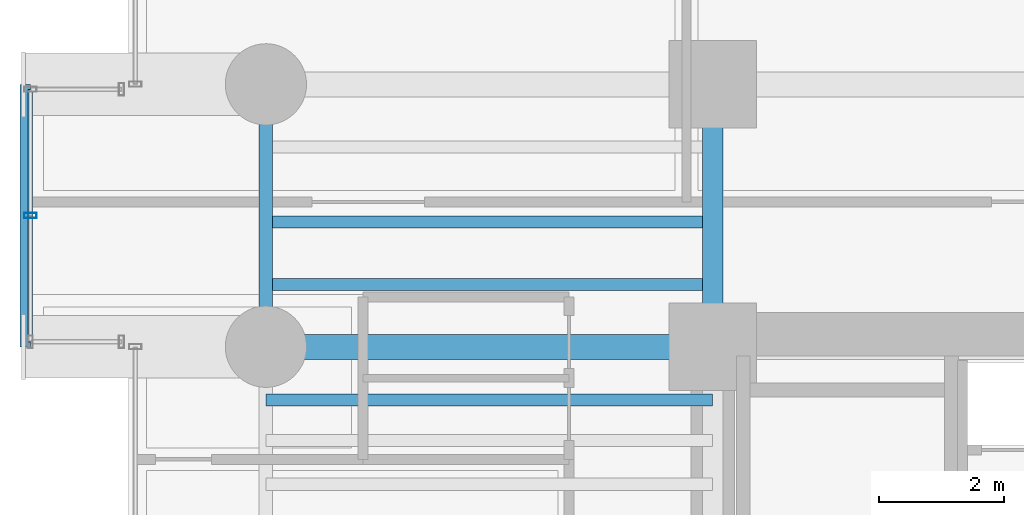
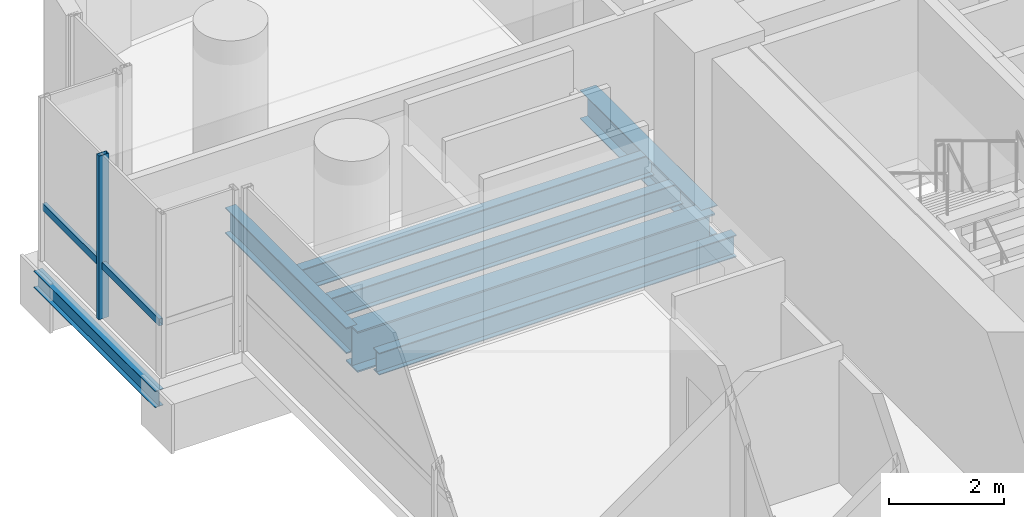
# One storey, part 11 of 41: 7 beams, 2 members, 1 element without a shape of its own.
"""IFC4 building model written with IfcOpenShell, lengths in metres."""

from ifc_helpers import new_model, si_unit, direction, frame, origin, origin_2d, place, context, subcontext, project, spatial, hollow_rectangle, i_section, extrude, source, transform, mapped, material, material_profile, profile_set, type_object, element, aggregate, save


model = new_model("IFC4")

# Units and contexts
model_context = context("Model", 3, precision=1e-05, world=origin(), true_north=direction((0.0, 1.0)))
body_context = subcontext(model_context, "Body", "Model", "MODEL_VIEW")
ifc_project = project(units=[si_unit("LENGTHUNIT", "METRE"), si_unit("AREAUNIT", "SQUARE_METRE"), si_unit("VOLUMEUNIT", "CUBIC_METRE"), si_unit("PLANEANGLEUNIT", "RADIAN"), si_unit("MASSUNIT", "GRAM", prefix="KILO")], contexts=[model_context])

# Site, building, storey
site_placement = place(None, origin())
site = spatial("IfcSite", under=ifc_project, at=site_placement, CompositionType="ELEMENT")
building_placement = place(site_placement, origin())
building = spatial("IfcBuilding", under=site, at=building_placement, Name="Valdorenza Pilgrim Sanctuary Tower", CompositionType="ELEMENT")
storey_placement = place(building_placement, frame((0.0, 0.0, 88.89990234375)))
storey = spatial("IfcBuildingStorey", under=building, at=storey_placement, Name="L22", CompositionType="ELEMENT", Elevation=88.89990234375)

# Beams
ifc_material_1 = material(Name="Steel ASTM A992 Grade 50", Category="steel")
ifc_material_profile_1 = material_profile(ifc_material_1, i_section(OverallWidth=0.214111328125, OverallDepth=0.549072265625, WebThickness=0.0146484375, FlangeThickness=0.023681640625, at=origin_2d()), Name="W21X93")
ifc_profile_set_1 = profile_set([ifc_material_profile_1], Name="Steel ASTM A992 Grade 50")
beam_type_1 = type_object("IfcBeamType", Name="STR-BM-SPN-W21A", PredefinedType="SPANDREL", material=ifc_profile_set_1)
shared_shape_1 = source(origin(), body_context, "Body", "SweptSolid", [
    extrude(i_section(OverallWidth=0.214111328125, OverallDepth=0.549072265625, WebThickness=0.0146484375, FlangeThickness=0.023681640625, at=origin_2d()), origin(), (0.0, 0.0, 1.0), 4.199951171875),
])
beam_1_placement = place(storey_placement, frame((-29.800048828125, 10.60009765625, -0.514404296875), z_axis=(0.0, 1.0, 0.0), x_axis=(-1.0, 0.0, 0.0)))
element("IfcBeam", 1, at=beam_1_placement, inside=storey, type_object=beam_type_1, Name="L22 Spandrel Beam WA-W-N1N2", PredefinedType="SPANDREL", context=body_context, shape_type="MappedRepresentation", body=[
    mapped(shared_shape_1, transform((0.0, 0.0, 0.0), x_axis=(1.0, 0.0, 0.0), y_axis=(0.0, 1.0, 0.0), z_axis=(0.0, 0.0, 1.0), scale=1.0)),
])
ifc_material_profile_2 = material_profile(ifc_material_1, i_section(OverallWidth=0.323974609375, OverallDepth=0.611083984375, WebThickness=0.0126953125, FlangeThickness=0.01904296875, at=origin_2d()), Name="W24X104")
ifc_profile_set_2 = profile_set([ifc_material_profile_2], Name="Steel ASTM A992 Grade 50")
beam_type_2 = type_object("IfcBeamType", Name="STR-BM-GRD-W24B", PredefinedType="BEAM", material=ifc_profile_set_2)
shared_shape_2 = source(origin(), body_context, "Body", "SweptSolid", [
    extrude(i_section(OverallWidth=0.323974609375, OverallDepth=0.611083984375, WebThickness=0.0126953125, FlangeThickness=0.01904296875, at=origin_2d()), origin(), (0.0, 0.0, 1.0), 4.199951171875),
])
beam_2_placement = place(storey_placement, frame((-22.64990234375, 10.60009765625, -0.54541015625), z_axis=(0.0, 1.0, 0.0), x_axis=(-1.0, 0.0, 0.0)))
element("IfcBeam", 2, at=beam_2_placement, inside=storey, type_object=beam_type_2, Name="L22 Core Tie Girder CA-W-N1N2", PredefinedType="BEAM", context=body_context, shape_type="MappedRepresentation", body=[
    mapped(shared_shape_2, transform((0.0, 0.0, 0.0), x_axis=(1.0, 0.0, 0.0), y_axis=(0.0, 1.0, 0.0), z_axis=(0.0, 0.0, 1.0), scale=1.0)),
])
ifc_material_profile_3 = material_profile(ifc_material_1, i_section(OverallWidth=0.193115234375, OverallDepth=0.466064453125, WebThickness=0.011474609375, FlangeThickness=0.01904296875, at=origin_2d()), Name="W18X65")
ifc_profile_set_3 = profile_set([ifc_material_profile_3], Name="Steel ASTM A992 Grade 50")
beam_type_3 = type_object("IfcBeamType", Name="STR-BM-JST-W18A", PredefinedType="JOIST", material=ifc_profile_set_3)
shared_shape_3 = source(origin(), body_context, "Body", "SweptSolid", [
    extrude(i_section(OverallWidth=0.193115234375, OverallDepth=0.466064453125, WebThickness=0.011474609375, FlangeThickness=0.01904296875, at=origin_2d()), origin(), (0.0, 0.0, 1.0), 7.150146484375),
])
for number, where, z_axis, x_axis, name in (
    (3, (-29.800048828125, 9.75, -0.472900390625), (1.0, 0.0, 0.0), (0.0, 1.0, 0.0), "L22 Composite Floor Joist JST-WA-23"),
    (4, (-29.800048828125, 11.60009765625, -0.472900390625), (1.0, 0.0, 0.0), (0.0, 1.0, 0.0), "L22 Composite Floor Joist JST-WA-24"),
    (5, (-29.800048828125, 12.60009765625, -0.472900390625), (1.0, 0.0, 0.0), (0.0, 1.0, 0.0), "L22 Composite Floor Joist JST-WA-25"),
):
    element("IfcBeam", number, at=place(storey_placement, frame(where, z_axis=z_axis, x_axis=x_axis)), inside=storey, type_object=beam_type_3, Name=name, PredefinedType="JOIST", context=body_context, shape_type="MappedRepresentation", body=[
        mapped(shared_shape_3, transform((0.0, 0.0, 0.0), x_axis=(1.0, 0.0, 0.0), y_axis=(0.0, 1.0, 0.0), z_axis=(0.0, 0.0, 1.0), scale=1.0)),
    ])
ifc_material_profile_4 = material_profile(ifc_material_1, i_section(OverallWidth=0.39990234375, OverallDepth=0.862060546875, WebThickness=0.019775390625, FlangeThickness=0.032470703125, at=origin_2d()), Name="W33X221")
ifc_profile_set_4 = profile_set([ifc_material_profile_4], Name="Steel ASTM A992 Grade 50")
beam_type_4 = type_object("IfcBeamType", Name="STR-BM-GRD-W33", PredefinedType="BEAM", material=ifc_profile_set_4)
shared_shape_4 = source(origin(), body_context, "Body", "SweptSolid", [
    extrude(i_section(OverallWidth=0.39990234375, OverallDepth=0.862060546875, WebThickness=0.019775390625, FlangeThickness=0.032470703125, at=origin_2d()), origin(), (0.0, 0.0, 1.0), 7.150146484375),
])
beam_3_placement = place(storey_placement, frame((-29.800048828125, 10.60009765625, -0.6708984375), z_axis=(1.0, 0.0, 0.0), x_axis=(0.0, 1.0, 0.0)))
element("IfcBeam", 6, at=beam_3_placement, inside=storey, type_object=beam_type_4, Name="L22 Floor Girder WA-XW-N1", PredefinedType="BEAM", context=body_context, shape_type="MappedRepresentation", body=[
    mapped(shared_shape_4, transform((0.0, 0.0, 0.0), x_axis=(1.0, 0.0, 0.0), y_axis=(0.0, 1.0, 0.0), z_axis=(0.0, 0.0, 1.0), scale=1.0)),
])
ifc_material_profile_5 = material_profile(ifc_material_1, i_section(OverallWidth=0.1708984375, OverallDepth=0.35107421875, WebThickness=0.0068359375, FlangeThickness=0.009765625, at=origin_2d()), Name="W14X30")
ifc_profile_set_5 = profile_set([ifc_material_profile_5], Name="Steel ASTM A992 Grade 50")
beam_type_5 = type_object("IfcBeamType", Name="STR-BM-BOX-W14", PredefinedType="BEAM", material=ifc_profile_set_5)
shared_shape_5 = source(origin(), body_context, "Body", "SweptSolid", [
    extrude(i_section(OverallWidth=0.1708984375, OverallDepth=0.35107421875, WebThickness=0.0068359375, FlangeThickness=0.009765625, at=origin_2d()), origin(), (0.0, 0.0, 1.0), 4.199951171875),
])
beam_4_placement = place(storey_placement, frame((-33.64990234375, 10.60009765625, -0.415283203125), z_axis=(0.0, 1.0, 0.0), x_axis=(-1.0, 0.0, 0.0)))
element("IfcBeam", 7, at=beam_4_placement, inside=storey, type_object=beam_type_5, Name="L22 Glass Box Edge Beam BOX-WA-L22-F", PredefinedType="BEAM", context=body_context, shape_type="MappedRepresentation", body=[
    mapped(shared_shape_5, transform((0.0, 0.0, 0.0), x_axis=(1.0, 0.0, 0.0), y_axis=(0.0, 1.0, 0.0), z_axis=(0.0, 0.0, 1.0), scale=1.0)),
])

# Curtain wall, members
ifc_material_2 = material(Name="Curtain-wall IGU glazing", Category="glass")
curtain_wall_type = type_object("IfcCurtainWallType", Name="CW-SYS-02", PredefinedType="NOTDEFINED", material=ifc_material_2)
curtain_wall_placement = place(storey_placement, origin())
curtain_wall = element("IfcCurtainWall", 8, at=curtain_wall_placement, inside=storey, type_object=curtain_wall_type, Name="L22 Curtain Wall CW-L22-BOX-WA-L22-F", PredefinedType="NOTDEFINED")
ifc_material_3 = material(Name="Anodised aluminium AW-6060", Category="aluminium")
ifc_material_profile_6 = material_profile(ifc_material_3, hollow_rectangle(XDim=0.0849609375, YDim=0.199951171875, WallThickness=0.0048828125, at=origin_2d()), Name="ALU-M 200x85x5")
ifc_profile_set_6 = profile_set([ifc_material_profile_6], Name="Anodised aluminium AW-6060")
member_type_1 = type_object("IfcMemberType", Name="CW-MUL-02", PredefinedType="MULLION", material=ifc_profile_set_6)
shared_shape_6 = source(origin(), body_context, "Body", "SweptSolid", [
    extrude(hollow_rectangle(XDim=0.0849609375, YDim=0.199951171875, WallThickness=0.0048828125, at=origin_2d()), origin(), (0.0, 0.0, 1.0), 3.460205078125),
])
member_1_placement = place(storey_placement, frame((-33.570068359375, 12.699951171875, 0.0), z_axis=(0.0, 0.0, 1.0), x_axis=(0.0, 1.0, 0.0)))
member_1 = element("IfcMember", 9, at=member_1_placement, type_object=member_type_1, Name="CW-L22-BOX-WA-L22-F Mullion 2", PredefinedType="MULLION", context=body_context, shape_type="MappedRepresentation", body=[
    mapped(shared_shape_6, transform((0.0, 0.0, 0.0), x_axis=(1.0, 0.0, 0.0), y_axis=(0.0, 1.0, 0.0), z_axis=(0.0, 0.0, 1.0), scale=1.0)),
])
ifc_material_profile_7 = material_profile(ifc_material_3, hollow_rectangle(XDim=0.074951171875, YDim=0.14990234375, WallThickness=0.00390625, at=origin_2d()), Name="ALU-T 150x75x4")
ifc_profile_set_7 = profile_set([ifc_material_profile_7], Name="Anodised aluminium AW-6060")
member_type_2 = type_object("IfcMemberType", Name="CW-TRN-02", PredefinedType="USERDEFINED", material=ifc_profile_set_7)
shared_shape_7 = source(origin(), body_context, "Body", "SweptSolid", [
    extrude(hollow_rectangle(XDim=0.074951171875, YDim=0.14990234375, WallThickness=0.00390625, at=origin_2d()), origin(), (0.0, 0.0, 1.0), 4.0400390625),
])
member_2_placement = place(storey_placement, frame((-33.570068359375, 10.679931640625, 1.1201171875), z_axis=(0.0, 1.0, 0.0), x_axis=(-1.0, 0.0, 0.0)))
member_2 = element("IfcMember", 10, at=member_2_placement, type_object=member_type_2, Name="CW-L22-BOX-WA-L22-F Transom 1", ObjectType="TRANSOM", PredefinedType="USERDEFINED", context=body_context, shape_type="MappedRepresentation", body=[
    mapped(shared_shape_7, transform((0.0, 0.0, 0.0), x_axis=(1.0, 0.0, 0.0), y_axis=(0.0, 1.0, 0.0), z_axis=(0.0, 0.0, 1.0), scale=1.0)),
])
aggregate(curtain_wall, [member_1, member_2])

save(model, "model.ifc")
